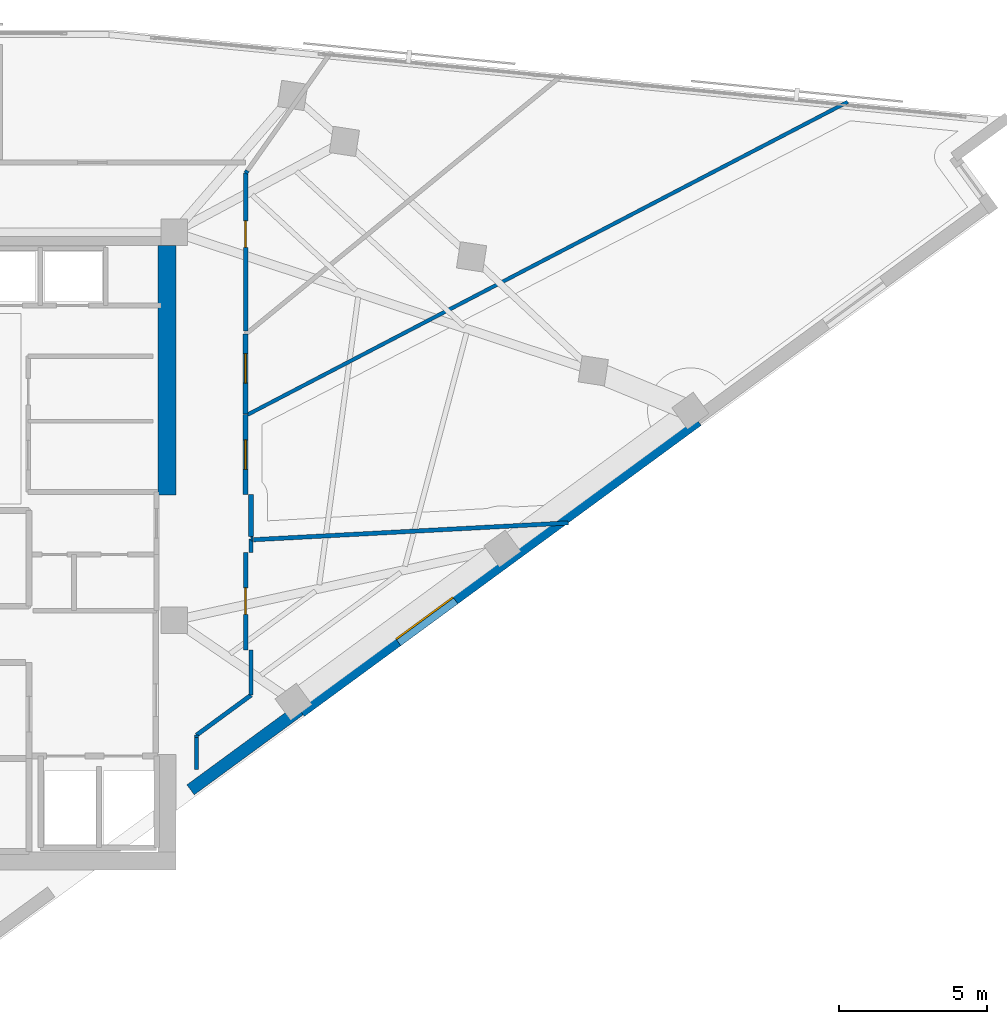
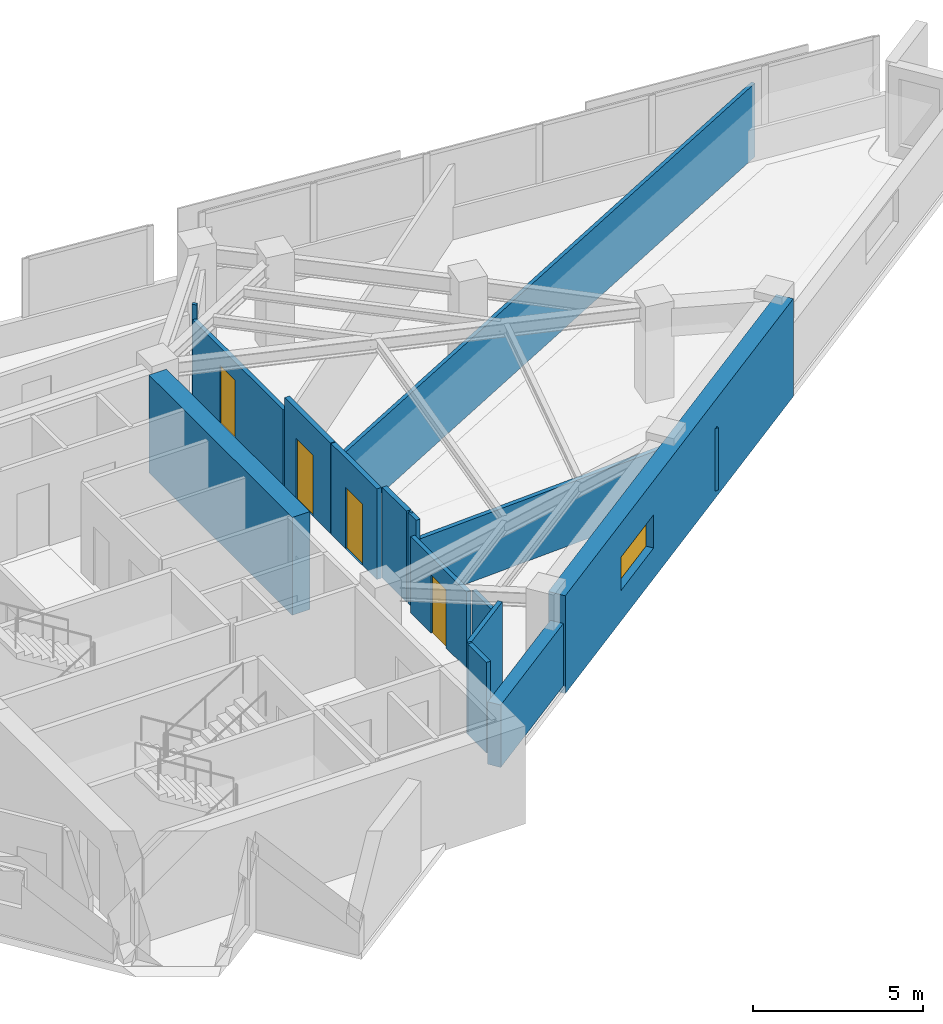
# One storey, part 10 of 13: 17 walls, 4 doors, 1 window, 5 openings.
"""IFC4 building model written with IfcOpenShell, lengths in metres."""

from ifc_helpers import new_model, si_unit, direction, frame, frame_2d, origin, place, context, subcontext, project, spatial, rectangle, extrude, material, layer, layer_set, type_object, element, fill, save


model = new_model("IFC4")

# Units and contexts
model_context = context("Model", 3, precision=1e-05, world=origin(), true_north=direction((0.0, 1.0)))
body_context = subcontext(model_context, "Body", "Model", "MODEL_VIEW")
ifc_project = project(units=[si_unit("LENGTHUNIT", "METRE"), si_unit("AREAUNIT", "SQUARE_METRE"), si_unit("VOLUMEUNIT", "CUBIC_METRE"), si_unit("PLANEANGLEUNIT", "RADIAN"), si_unit("MASSUNIT", "GRAM", prefix="KILO")], contexts=[model_context])

# Site, building, storey
site_placement = place(None, origin())
site = spatial("IfcSite", under=ifc_project, at=site_placement, CompositionType="ELEMENT")
building_placement = place(site_placement, origin())
building = spatial("IfcBuilding", under=site, at=building_placement, Name="Narakoshi Arena Tower", CompositionType="ELEMENT")
storey_placement = place(building_placement, frame((0.0, 0.0, 246.659912109375)))
storey = spatial("IfcBuildingStorey", under=building, at=storey_placement, Name="L67", CompositionType="ELEMENT", Elevation=246.659912109375)

# Wall
ifc_material_1 = material(Name="Concrete C50/60", Category="concrete")
ifc_layer_1 = layer(ifc_material_1, 0.60009765625)
ifc_layer_set_1 = layer_set([ifc_layer_1], Name="Concrete C50/60")
wall_type_1 = type_object("IfcWallType", Name="WL-CORE-600", PredefinedType="SHEAR", material=ifc_layer_set_1)
wall_1_placement = place(storey_placement, frame((85.300048828125, 47.60009765625, -0.260009765625), z_axis=(0.0, 0.0, 1.0), x_axis=(0.0, 1.0, 0.0)))
element("IfcWall", 1, at=wall_1_placement, inside=storey, type_object=wall_type_1, Name="L67 Main Core Shear Wall CW-MN-E", PredefinedType="SHEAR", context=body_context, shape_type="SweptSolid", body=[
    extrude(rectangle(XDim=8.449951171875, YDim=0.60009765625, at=frame_2d((4.22509765625, 0.0))), origin(), (0.0, 0.0, 1.0), 3.52001953125),
])

# Wall, opening, door
ifc_material_2 = material(Name="Gypsum plasterboard fire-rated partition")
ifc_layer_2 = layer(ifc_material_2, 0.1650390625)
ifc_layer_set_2 = layer_set([ifc_layer_2], Name="Gypsum plasterboard fire-rated partition")
wall_type_2 = type_object("IfcWallType", Name="WL-CORR-165", PredefinedType="PARTITIONING", material=ifc_layer_set_2)
wall_2_placement = place(storey_placement, frame((87.966796875, 47.6201171875, 0.0), z_axis=(0.0, 0.0, 1.0), x_axis=(0.0, 1.0, 0.0)))
wall_2 = element("IfcWall", 2, at=wall_2_placement, inside=storey, type_object=wall_type_2, Name="L67 Corridor Partition 03-1", PredefinedType="PARTITIONING", context=body_context, shape_type="SweptSolid", body=[
    extrude(rectangle(XDim=2.69921875, YDim=0.1650390625, at=frame_2d((1.349609375, 0.0))), origin(), (0.0, 0.0, 1.0), 3.260009765625),
])
opening_1_placement = place(wall_2_placement, frame((0.849609375, 0.0, 0.0)))
opening_1 = element("IfcOpeningElement", 3, at=opening_1_placement, cuts=wall_2, Name="Opening D-06", PredefinedType="OPENING", context=body_context, shape_type="SweptSolid", body=[
    extrude(rectangle(XDim=1.0, YDim=2.199951171875, at=frame_2d((0.5, 1.10009765625))), frame((0.0, 0.092529296875, 0.0), z_axis=(0.0, -1.0, 0.0), x_axis=(1.0, 0.0, 0.0)), (0.0, 0.0, 1.0), 0.18505859375),
])
ifc_material_3 = material(Name="Stained oak solid-core timber", Category="wood")
door_type_1 = type_object("IfcDoorType", Name="DR-OFF-1000", OperationType="NOTDEFINED", PredefinedType="DOOR", material=ifc_material_3)
door_1_placement = place(opening_1_placement, frame((1.0, 0.0, 0.0), z_axis=(0.0, 0.0, 1.0), x_axis=(-1.0, 0.0, 0.0)))
door_1 = element("IfcDoor", 4, at=door_1_placement, inside=storey, type_object=door_type_1, Name="DR-L67-019", OperationType="SINGLE_SWING_LEFT", OverallHeight=2.199951171875, OverallWidth=1.0, PredefinedType="DOOR", context=body_context, shape_type="SweptSolid", body=[
    extrude(rectangle(XDim=1.0, YDim=2.199951171875, at=frame_2d((0.5, 1.10009765625))), frame((0.0, 0.02490234375, 0.0), z_axis=(0.0, -1.0, 0.0), x_axis=(1.0, 0.0, 0.0)), (0.0, 0.0, 1.0), 0.050048828125),
])
fill(opening_1, door_1)

# Wall
wall_3_placement = place(storey_placement, frame((88.14990234375, 46.19873046875, 0.0), z_axis=(0.0, 0.0, 1.0), x_axis=(0.0, 1.0, 0.0)))
element("IfcWall", 5, at=wall_3_placement, inside=storey, type_object=wall_type_2, Name="L67 Corridor Partition 03-2", PredefinedType="PARTITIONING", context=body_context, shape_type="SweptSolid", body=[
    extrude(rectangle(XDim=1.42138671875, YDim=0.1650390625, at=frame_2d((0.710693359375, 0.0))), origin(), (0.0, 0.0, 1.0), 3.260009765625),
])

# Wall, opening, door
wall_4_placement = place(storey_placement, frame((87.966796875, 50.34619140625, 0.0), z_axis=(0.0, 0.0, 1.0), x_axis=(0.0, 1.0, 0.0)))
wall_4 = element("IfcWall", 6, at=wall_4_placement, inside=storey, type_object=wall_type_2, Name="L67 Corridor Partition 04-1", PredefinedType="PARTITIONING", context=body_context, shape_type="SweptSolid", body=[
    extrude(rectangle(XDim=2.699462890625, YDim=0.1650390625, at=frame_2d((1.349609375, 0.0))), origin(), (0.0, 0.0, 1.0), 3.260009765625),
])
opening_2_placement = place(wall_4_placement, frame((1.04443359375, 0.0, 0.0)))
opening_2 = element("IfcOpeningElement", 7, at=opening_2_placement, cuts=wall_4, Name="Opening D-06", PredefinedType="OPENING", context=body_context, shape_type="SweptSolid", body=[
    extrude(rectangle(XDim=1.0, YDim=2.199951171875, at=frame_2d((0.5, 1.10009765625))), frame((0.0, 0.092529296875, 0.0), z_axis=(0.0, -1.0, 0.0), x_axis=(1.0, 0.0, 0.0)), (0.0, 0.0, 1.0), 0.18505859375),
])
door_2_placement = place(opening_2_placement, frame((1.0, 0.0, 0.0), z_axis=(0.0, 0.0, 1.0), x_axis=(-1.0, 0.0, 0.0)))
door_2 = element("IfcDoor", 8, at=door_2_placement, inside=storey, type_object=door_type_1, Name="DR-L67-020", OperationType="SINGLE_SWING_RIGHT", OverallHeight=2.199951171875, OverallWidth=1.0, PredefinedType="DOOR", context=body_context, shape_type="SweptSolid", body=[
    extrude(rectangle(XDim=1.0, YDim=2.199951171875, at=frame_2d((0.5, 1.10009765625))), frame((0.0, 0.02490234375, 0.0), z_axis=(0.0, -1.0, 0.0), x_axis=(1.0, 0.0, 0.0)), (0.0, 0.0, 1.0), 0.050048828125),
])
fill(opening_2, door_2)

# Wall, opening, window
ifc_layer_3 = layer(ifc_material_1, 0.550048828125)
ifc_layer_set_3 = layer_set([ifc_layer_3], Name="Concrete C50/60")
wall_type_3 = type_object("IfcWallType", Name="WL-LEG-550", PredefinedType="SHEAR", material=ifc_layer_set_3)
wall_5_placement = place(storey_placement, frame((89.79052734375, 40.31640625, -0.260009765625), z_axis=(0.0, 0.0, 1.0), x_axis=(0.806449218078, 0.591303355868, 0.0)))
wall_5 = element("IfcWall", 9, at=wall_5_placement, inside=storey, type_object=wall_type_3, Name="L67 Architectural Concrete Structural Wall LEGA-3", PredefinedType="SHEAR", context=body_context, shape_type="SweptSolid", body=[
    extrude(rectangle(XDim=16.673095703125, YDim=0.550048828125, at=frame_2d((8.33642578125, 0.0))), origin(), (0.0, 0.0, 1.0), 3.52001953125),
])
opening_3_placement = place(wall_5_placement, frame((4.0537109375, 0.0, 1.10009765625)))
opening_3 = element("IfcOpeningElement", 10, at=opening_3_placement, cuts=wall_5, Name="Opening WN-04", PredefinedType="OPENING", context=body_context, shape_type="SweptSolid", body=[
    extrude(rectangle(XDim=2.39990234375, YDim=1.199951171875, at=frame_2d((1.199951171875, 0.60009765625))), frame((0.0, 0.284912109375, 0.0), z_axis=(0.0, -1.0, 0.0), x_axis=(1.0, 0.0, 0.0)), (0.0, 0.0, 1.0), 0.570068359375),
])
ifc_material_4 = material(Name="Bronze-tinted low-E laminated glass", Category="glass")
window_type = type_object("IfcWindowType", Name="WIN-SLT-24x12", PartitioningType="SINGLE_PANEL", PredefinedType="WINDOW", material=ifc_material_4)
window_placement = place(opening_3_placement, origin())
window = element("IfcWindow", 11, at=window_placement, inside=storey, type_object=window_type, Name="L67 LEGA3 Horizontal Slot Window 1", OverallHeight=1.199951171875, OverallWidth=2.39990234375, PartitioningType="SINGLE_PANEL", PredefinedType="WINDOW", context=body_context, shape_type="SweptSolid", body=[
    extrude(rectangle(XDim=2.39990234375, YDim=1.199951171875, at=frame_2d((1.199951171875, 0.60009765625))), frame((0.0, 0.030029296875, 0.0), z_axis=(0.0, -1.0, 0.0), x_axis=(1.0, 0.0, 0.0)), (0.0, 0.0, 1.0), 0.06005859375),
])
fill(opening_3, window)

# Walls
ifc_layer_4 = layer(ifc_material_2, 0.125)
ifc_layer_set_4 = layer_set([ifc_layer_4], Name="Gypsum plasterboard fire-rated partition")
wall_type_4 = type_object("IfcWallType", Name="WL-PART-125", PredefinedType="PARTITIONING", material=ifc_layer_set_4)
wall_6_placement = place(storey_placement, frame((88.030029296875, 50.3193359375, 0.0), z_axis=(0.0, 0.0, 1.0), x_axis=(0.886797742306, 0.462157726584, 0.0)))
element("IfcWall", 12, at=wall_6_placement, inside=storey, type_object=wall_type_4, Name="L67 Inter-Room Partition 03-04", PredefinedType="PARTITIONING", context=body_context, shape_type="SweptSolid", body=[
    extrude(rectangle(XDim=22.931884765625, YDim=0.125, at=frame_2d((11.4658203125, 0.0))), origin(), (0.0, 0.0, 1.0), 2.64501953125),
])
ifc_material_5 = material(Name="Precast concrete C45/55", Category="concrete")
ifc_layer_5 = layer(ifc_material_5, 0.419921875)
ifc_layer_set_5 = layer_set([ifc_layer_5], Name="Precast concrete C45/55")
wall_type_5 = type_object("IfcWallType", Name="WL-POD-420", PredefinedType="SOLIDWALL", material=ifc_layer_set_5)
wall_7_placement = place(storey_placement, frame((86.10009765625, 37.6103515625, 0.0), z_axis=(0.0, 0.0, 1.0), x_axis=(0.806432132361, 0.591326657521, 0.0)))
element("IfcWall", 13, at=wall_7_placement, inside=storey, type_object=wall_type_5, Name="L67 Architectural Concrete Facade Wall LEGA-2", PredefinedType="SOLIDWALL", context=body_context, shape_type="SweptSolid", body=[
    extrude(rectangle(XDim=4.576171875, YDim=0.419921875, at=frame_2d((2.2880859375, 0.0))), origin(), (0.0, 0.0, 1.0), 2.2451171875),
])

# Wall, opening, door
ifc_material_6 = material(Name="Moisture-resistant cement-board partition")
ifc_layer_6 = layer(ifc_material_6, 0.14501953125)
ifc_layer_set_6 = layer_set([ifc_layer_6], Name="Moisture-resistant cement-board partition")
wall_type_6 = type_object("IfcWallType", Name="WL-WET-145", PredefinedType="PARTITIONING", material=ifc_layer_set_6)
wall_8_placement = place(storey_placement, frame((87.966796875, 42.35009765625, 0.0), z_axis=(0.0, 0.0, 1.0), x_axis=(0.0, 1.0, 0.0)))
wall_8 = element("IfcWall", 14, at=wall_8_placement, inside=storey, type_object=wall_type_6, Name="L67 Corridor Partition 02-1", PredefinedType="PARTITIONING", context=body_context, shape_type="SweptSolid", body=[
    extrude(rectangle(XDim=3.2998046875, YDim=0.14501953125, at=frame_2d((1.64990234375, 0.0))), origin(), (0.0, 0.0, 1.0), 2.7451171875),
])
opening_4_placement = place(wall_8_placement, frame((1.199951171875, 0.0, 0.0)))
opening_4 = element("IfcOpeningElement", 15, at=opening_4_placement, cuts=wall_8, Name="Opening D-08", PredefinedType="OPENING", context=body_context, shape_type="SweptSolid", body=[
    extrude(rectangle(XDim=0.89990234375, YDim=2.10009765625, at=frame_2d((0.449951171875, 1.050048828125))), frame((0.0, 0.08251953125, 0.0), z_axis=(0.0, -1.0, 0.0), x_axis=(1.0, 0.0, 0.0)), (0.0, 0.0, 1.0), 0.1650390625),
])
ifc_material_7 = material(Name="Moisture-resistant laminate timber", Category="wood")
door_type_2 = type_object("IfcDoorType", Name="DR-WC-900", OperationType="NOTDEFINED", PredefinedType="DOOR", material=ifc_material_7)
door_3_placement = place(opening_4_placement, frame((0.89990234375, 0.0, 0.0), z_axis=(0.0, 0.0, 1.0), x_axis=(-1.0, 0.0, 0.0)))
door_3 = element("IfcDoor", 16, at=door_3_placement, inside=storey, type_object=door_type_2, Name="DR-L67-018", OperationType="SINGLE_SWING_LEFT", OverallHeight=2.10009765625, OverallWidth=0.89990234375, PredefinedType="DOOR", context=body_context, shape_type="SweptSolid", body=[
    extrude(rectangle(XDim=0.89990234375, YDim=2.10009765625, at=frame_2d((0.449951171875, 1.050048828125))), frame((0.0, 0.02490234375, 0.0), z_axis=(0.0, -1.0, 0.0), x_axis=(1.0, 0.0, 0.0)), (0.0, 0.0, 1.0), 0.050048828125),
])
fill(opening_4, door_3)

# Walls
wall_9_placement = place(storey_placement, frame((86.300048828125, 39.4619140625, 0.0), z_axis=(0.0, 0.0, 1.0), x_axis=(0.80642868075, 0.591331364689, 0.0)))
element("IfcWall", 17, at=wall_9_placement, inside=storey, type_object=wall_type_6, Name="L67 Corridor Partition 02-2", PredefinedType="PARTITIONING", context=body_context, shape_type="SweptSolid", body=[
    extrude(rectangle(XDim=2.2939453125, YDim=0.14501953125, at=frame_2d((1.14697265625, 0.0))), origin(), (0.0, 0.0, 1.0), 3.260009765625),
])
wall_10_placement = place(storey_placement, frame((88.14990234375, 40.818359375, 0.0), z_axis=(0.0, 0.0, 1.0), x_axis=(0.0, 1.0, 0.0)))
element("IfcWall", 18, at=wall_10_placement, inside=storey, type_object=wall_type_6, Name="L67 Corridor Partition 02-3", PredefinedType="PARTITIONING", context=body_context, shape_type="SweptSolid", body=[
    extrude(rectangle(XDim=1.53173828125, YDim=0.14501953125, at=frame_2d((0.765869140625, 0.0))), origin(), (0.0, 0.0, 1.0), 2.7451171875),
])
wall_11_placement = place(storey_placement, frame((88.14990234375, 45.64990234375, 0.0), z_axis=(0.0, 0.0, 1.0), x_axis=(0.0, 1.0, 0.0)))
element("IfcWall", 19, at=wall_11_placement, inside=storey, type_object=wall_type_6, Name="L67 Corridor Partition 02-4", PredefinedType="PARTITIONING", context=body_context, shape_type="SweptSolid", body=[
    extrude(rectangle(XDim=0.46435546875, YDim=0.14501953125, at=frame_2d((0.232177734375, 0.0))), origin(), (0.0, 0.0, 1.0), 3.260009765625),
])
wall_12_placement = place(storey_placement, frame((86.300048828125, 39.3876953125, 0.0), z_axis=(0.0, 0.0, 1.0), x_axis=(0.0, 1.0, 0.0)))
element("IfcWall", 20, at=wall_12_placement, inside=storey, type_object=wall_type_6, Name="L67 Corridor Partition 02-5", PredefinedType="PARTITIONING", context=body_context, shape_type="SweptSolid", body=[
    extrude(rectangle(XDim=0.07421875, YDim=0.14501953125, at=frame_2d((0.037109375, 0.0))), origin(), (0.0, 0.0, 1.0), 3.260009765625),
])
wall_13_placement = place(storey_placement, frame((88.14990234375, 46.1142578125, 0.0), z_axis=(0.0, 0.0, 1.0), x_axis=(0.998384516691, 0.056818631031, 0.0)))
element("IfcWall", 21, at=wall_13_placement, inside=storey, type_object=wall_type_6, Name="L67 Corridor Partition 02-6", PredefinedType="PARTITIONING", context=body_context, shape_type="SweptSolid", body=[
    extrude(rectangle(XDim=0.06005859375, YDim=0.14501953125, at=frame_2d((0.030029296875, 0.0))), origin(), (0.0, 0.0, 1.0), 3.260009765625),
])
wall_14_placement = place(storey_placement, frame((88.234619140625, 46.082763671875, 0.0), z_axis=(0.0, 0.0, 1.0), x_axis=(0.998578452606, 0.053301725968, 0.0)))
element("IfcWall", 22, at=wall_14_placement, inside=storey, type_object=wall_type_6, Name="L67 Inter-Room Partition 02-03", PredefinedType="PARTITIONING", context=body_context, shape_type="SweptSolid", body=[
    extrude(rectangle(XDim=10.6767578125, YDim=0.14501953125, at=frame_2d((5.33837890625, 0.0))), origin(), (0.0, 0.0, 1.0), 2.2451171875),
])

# Wall, opening, door
wall_15_placement = place(storey_placement, frame((87.966796875, 53.15478515625, 0.0), z_axis=(0.0, 0.0, 1.0), x_axis=(0.0, 1.0, 0.0)))
wall_15 = element("IfcWall", 23, at=wall_15_placement, inside=storey, type_object=wall_type_6, Name="L67 Corridor Partition 05-1", PredefinedType="PARTITIONING", context=body_context, shape_type="SweptSolid", body=[
    extrude(rectangle(XDim=5.347412109375, YDim=0.14501953125, at=frame_2d((2.673828125, 0.0))), origin(), (0.0, 0.0, 1.0), 2.7451171875),
])
opening_5_placement = place(wall_15_placement, frame((2.830810546875, 0.0, 0.0)))
opening_5 = element("IfcOpeningElement", 24, at=opening_5_placement, cuts=wall_15, Name="Opening D-08", PredefinedType="OPENING", context=body_context, shape_type="SweptSolid", body=[
    extrude(rectangle(XDim=0.89990234375, YDim=2.10009765625, at=frame_2d((0.449951171875, 1.050048828125))), frame((0.0, 0.08251953125, 0.0), z_axis=(0.0, -1.0, 0.0), x_axis=(1.0, 0.0, 0.0)), (0.0, 0.0, 1.0), 0.1650390625),
])
door_4_placement = place(opening_5_placement, frame((0.89990234375, 0.0, 0.0), z_axis=(0.0, 0.0, 1.0), x_axis=(-1.0, 0.0, 0.0)))
door_4 = element("IfcDoor", 25, at=door_4_placement, inside=storey, type_object=door_type_2, Name="DR-L67-021", OperationType="SINGLE_SWING_RIGHT", OverallHeight=2.10009765625, OverallWidth=0.89990234375, PredefinedType="DOOR", context=body_context, shape_type="SweptSolid", body=[
    extrude(rectangle(XDim=0.89990234375, YDim=2.10009765625, at=frame_2d((0.449951171875, 1.050048828125))), frame((0.0, 0.02490234375, 0.0), z_axis=(0.0, -1.0, 0.0), x_axis=(1.0, 0.0, 0.0)), (0.0, 0.0, 1.0), 0.050048828125),
])
fill(opening_5, door_4)

# Walls
wall_16_placement = place(storey_placement, frame((87.966796875, 58.502197265625, 0.0), z_axis=(0.0, 0.0, 1.0), x_axis=(0.579454254746, 0.815004764806, 0.0)))
element("IfcWall", 26, at=wall_16_placement, inside=storey, type_object=wall_type_6, Name="L67 Corridor Partition 05-2", PredefinedType="PARTITIONING", context=body_context, shape_type="SweptSolid", body=[
    extrude(rectangle(XDim=0.103759765625, YDim=0.14501953125, at=frame_2d((0.0517578125, 0.0))), origin(), (0.0, 0.0, 1.0), 3.260009765625),
])
wall_17_placement = place(storey_placement, frame((86.300048828125, 38.290283203125, 0.0), z_axis=(0.0, 0.0, 1.0), x_axis=(0.0, 1.0, 0.0)))
element("IfcWall", 27, at=wall_17_placement, inside=storey, type_object=wall_type_6, Name="L67 Room Enclosure Partition 02-1", PredefinedType="PARTITIONING", context=body_context, shape_type="SweptSolid", body=[
    extrude(rectangle(XDim=1.097412109375, YDim=0.14501953125, at=frame_2d((0.548828125, 0.0))), origin(), (0.0, 0.0, 1.0), 3.260009765625),
])

save(model, "model.ifc")
